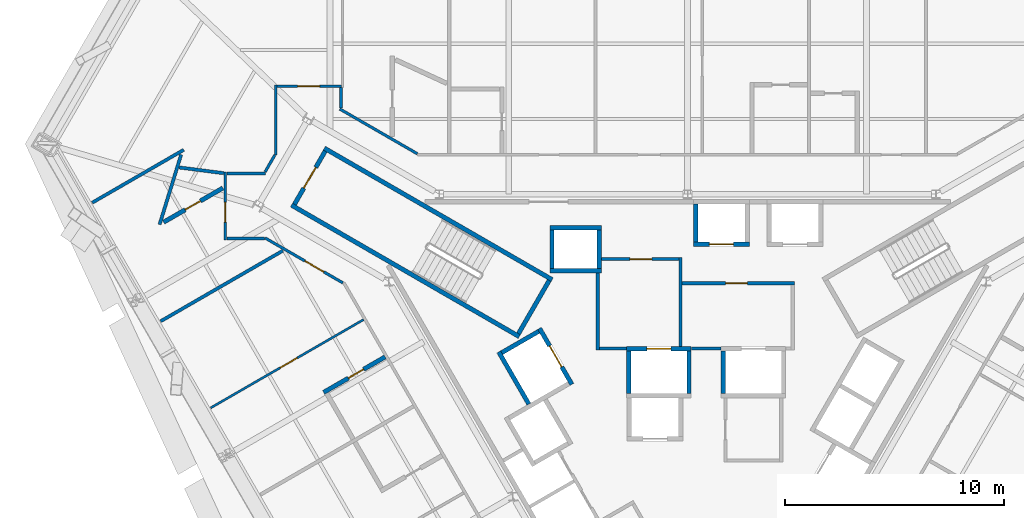
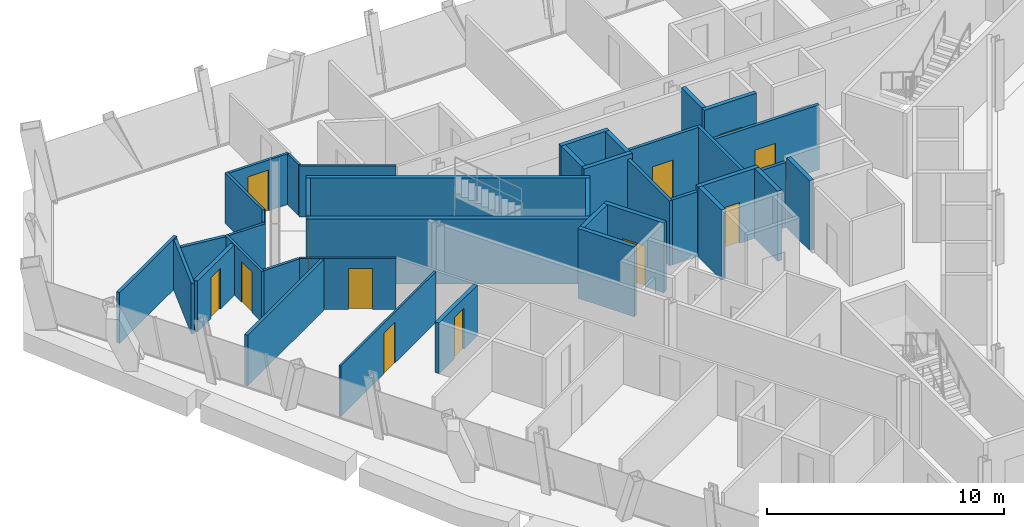
# One storey, part 10 of 14: 39 walls, 12 doors, 12 openings.
"""IFC4 building model written with IfcOpenShell, lengths in metres."""

from ifc_helpers import new_model, si_unit, direction, frame, frame_2d, origin, place, context, subcontext, project, spatial, rectangle, extrude, material, layer, layer_set, type_object, element, fill, save


model = new_model("IFC4")

# Units and contexts
model_context = context("Model", 3, precision=1e-05, world=origin(), true_north=direction((0.0, 1.0)))
body_context = subcontext(model_context, "Body", "Model", "MODEL_VIEW")
ifc_project = project(units=[si_unit("LENGTHUNIT", "METRE"), si_unit("AREAUNIT", "SQUARE_METRE"), si_unit("VOLUMEUNIT", "CUBIC_METRE"), si_unit("PLANEANGLEUNIT", "RADIAN"), si_unit("MASSUNIT", "GRAM", prefix="KILO")], contexts=[model_context])

# Site, building, storey
site_placement = place(None, origin())
site = spatial("IfcSite", under=ifc_project, at=site_placement, CompositionType="ELEMENT")
building_placement = place(site_placement, origin())
building = spatial("IfcBuilding", under=site, at=building_placement, Name="Verrane Prism Tower", CompositionType="ELEMENT")
storey_placement = place(building_placement, frame((0.0, 0.0, 128.800048828125)))
storey = spatial("IfcBuildingStorey", under=building, at=storey_placement, Name="L31", CompositionType="ELEMENT", Elevation=128.800048828125)

# Wall, opening, door
ifc_material_1 = material(Name="Concrete C40/50", Category="concrete")
ifc_layer_1 = layer(ifc_material_1, 0.199951171875)
ifc_layer_set_1 = layer_set([ifc_layer_1], Name="CW-200 stair core wall concrete C40/50 3 h")
wall_type_1 = type_object("IfcWallType", Name="CW-200 stair core wall concrete C40/50 3 h", PredefinedType="PARTITIONING", material=ifc_layer_set_1)
wall_1_placement = place(storey_placement, frame((-16.533935546875, 11.162353515625, 0.0), z_axis=(0.0, 0.0, 1.0), x_axis=(-0.49998411664, -0.866034573852, 0.0)))
wall_1 = element("IfcWall", 1, at=wall_1_placement, inside=storey, type_object=wall_type_1, Name="Stair 2 enclosure wall", PredefinedType="PARTITIONING", context=body_context, shape_type="SweptSolid", body=[
    extrude(rectangle(XDim=2.7998046875, YDim=0.199951171875, at=frame_2d((1.39990234375, 0.0))), origin(), (0.0, 0.0, 1.0), 3.349853515625),
])
opening_1_placement = place(wall_1_placement, frame((0.849853515625, 0.0, 0.0)))
opening_1 = element("IfcOpeningElement", 2, at=opening_1_placement, cuts=wall_1, Name="Opening D29501", PredefinedType="OPENING", context=body_context, shape_type="SweptSolid", body=[
    extrude(rectangle(XDim=1.10009765625, YDim=2.10009765625, at=frame_2d((0.550048828125, 1.050048828125))), frame((0.0, 0.10986328125, 0.0), z_axis=(0.0, -1.0, 0.0), x_axis=(1.0, 0.0, 0.0)), (0.0, 0.0, 1.0), 0.219970703125),
])
ifc_material_2 = material(Name="Timber veneered door leaf", Category="wood")
door_type_1 = type_object("IfcDoorType", Name="DR-1100x2100 FD90 single leaf stair", OperationType="NOTDEFINED", PredefinedType="DOOR", material=ifc_material_2)
door_1_placement = place(opening_1_placement, origin())
door_1 = element("IfcDoor", 3, at=door_1_placement, inside=storey, type_object=door_type_1, Name="Stair 2 door", OperationType="SINGLE_SWING_RIGHT", OverallHeight=2.10009765625, OverallWidth=1.10009765625, PredefinedType="DOOR", context=body_context, shape_type="SweptSolid", body=[
    extrude(rectangle(XDim=1.10009765625, YDim=2.10009765625, at=frame_2d((0.550048828125, 1.050048828125))), frame((0.0, 0.02490234375, 0.0), z_axis=(0.0, -1.0, 0.0), x_axis=(1.0, 0.0, 0.0)), (0.0, 0.0, 1.0), 0.050048828125),
])
fill(opening_1, door_1)

# Walls
for number, where, z_axis, x_axis, name in (
    (4, (-7.67822265625, 2.700927734375, 0.0), (0.0, 0.0, 1.0), (-0.866026010844, 0.49999894854, 0.0), "Stair 2 enclosure wall"),
    (5, (-6.17822265625, 5.299072265625, 0.0), (0.0, 0.0, 1.0), (-0.866026010844, 0.49999894854, 0.0), "Stair 2 enclosure wall"),
):
    element("IfcWall", number, at=place(storey_placement, frame(where, z_axis=z_axis, x_axis=x_axis)), inside=storey, type_object=wall_type_1, Name=name, PredefinedType="PARTITIONING", context=body_context, shape_type="SweptSolid", body=[
        extrude(rectangle(XDim=12.0, YDim=0.199951171875, at=frame_2d((6.0, 0.0))), origin(), (0.0, 0.0, 1.0), 3.349853515625),
    ])
wall_2_placement = place(storey_placement, frame((-6.314697265625, 5.262451171875, 0.0), z_axis=(0.0, 0.0, 1.0), x_axis=(-0.500049511043, -0.865996816683, 0.0)))
element("IfcWall", 6, at=wall_2_placement, inside=storey, type_object=wall_type_1, Name="Stair 2 enclosure wall", PredefinedType="PARTITIONING", context=body_context, shape_type="SweptSolid", body=[
    extrude(rectangle(XDim=2.800048828125, YDim=0.199951171875, at=frame_2d((1.39990234375, 0.0))), origin(), (0.0, 0.0, 1.0), 3.349853515625),
])

# Wall, opening, door
ifc_material_3 = material(Name="Gypsum board shaft wall assembly", Category="other")
ifc_layer_2 = layer(ifc_material_3, 0.199951171875)
ifc_layer_set_2 = layer_set([ifc_layer_2], Name="HW-200 lift shaft wall 2 h")
wall_type_2 = type_object("IfcWallType", Name="HW-200 lift shaft wall 2 h", PredefinedType="PARTITIONING", material=ifc_layer_set_2)
wall_3_placement = place(storey_placement, frame((-2.784912109375, 2.14990234375, 0.0), z_axis=(0.0, 0.0, 1.0), x_axis=(1.0, 0.0, 0.0)))
wall_3 = element("IfcWall", 7, at=wall_3_placement, inside=storey, type_object=wall_type_2, Name="Lift shaft wall", PredefinedType="PARTITIONING", context=body_context, shape_type="SweptSolid", body=[
    extrude(rectangle(XDim=2.949951171875, YDim=0.199951171875, at=frame_2d((1.47509765625, 0.0))), origin(), (0.0, 0.0, 1.0), 3.599853515625),
])
opening_2_placement = place(wall_3_placement, frame((0.925048828125, 0.0, 0.0)))
opening_2 = element("IfcOpeningElement", 8, at=opening_2_placement, cuts=wall_3, Name="Opening D29508", PredefinedType="OPENING", context=body_context, shape_type="SweptSolid", body=[
    extrude(rectangle(XDim=1.10009765625, YDim=2.10009765625, at=frame_2d((0.550048828125, 1.050048828125))), frame((0.0, 0.10986328125, 0.0), z_axis=(0.0, -1.0, 0.0), x_axis=(1.0, 0.0, 0.0)), (0.0, 0.0, 1.0), 0.219970703125),
])
ifc_material_4 = material(Name="Stainless steel sliding landing door", Category="steel")
door_type_2 = type_object("IfcDoorType", Name="LD-1100x2100 lift landing door FD90 sliding", OperationType="NOTDEFINED", PredefinedType="DOOR", material=ifc_material_4)
door_2_placement = place(opening_2_placement, origin())
door_2 = element("IfcDoor", 9, at=door_2_placement, inside=storey, type_object=door_type_2, Name="Fire service lift 1 landing door", OperationType="SLIDING_TO_LEFT", OverallHeight=2.10009765625, OverallWidth=1.10009765625, PredefinedType="DOOR", context=body_context, shape_type="SweptSolid", body=[
    extrude(rectangle(XDim=1.10009765625, YDim=2.10009765625, at=frame_2d((0.550048828125, 1.050048828125))), frame((0.0, 0.02490234375, 0.0), z_axis=(0.0, -1.0, 0.0), x_axis=(1.0, 0.0, 0.0)), (0.0, 0.0, 1.0), 0.050048828125),
])
fill(opening_2, door_2)

# Wall
wall_4_placement = place(storey_placement, frame((-6.284912109375, 5.7099609375, 0.0), z_axis=(0.0, 0.0, 1.0), x_axis=(1.0, 0.0, 0.0)))
element("IfcWall", 10, at=wall_4_placement, inside=storey, type_object=wall_type_2, Name="Lift shaft wall", PredefinedType="PARTITIONING", context=body_context, shape_type="SweptSolid", body=[
    extrude(rectangle(XDim=2.349853515625, YDim=0.199951171875, at=frame_2d((1.1748046875, 0.0))), origin(), (0.0, 0.0, 1.0), 3.599853515625),
])

# Wall, opening, door
wall_5_placement = place(storey_placement, frame((0.264892578125, 6.909912109375, 0.0), z_axis=(0.0, 0.0, 1.0), x_axis=(1.0, 0.0, 0.0)))
wall_5 = element("IfcWall", 11, at=wall_5_placement, inside=storey, type_object=wall_type_2, Name="Lift shaft wall", PredefinedType="PARTITIONING", context=body_context, shape_type="SweptSolid", body=[
    extrude(rectangle(XDim=2.550048828125, YDim=0.199951171875, at=frame_2d((1.27490234375, 0.0))), origin(), (0.0, 0.0, 1.0), 3.599853515625),
])
opening_3_placement = place(wall_5_placement, frame((0.72509765625, 0.0, 0.0)))
opening_3 = element("IfcOpeningElement", 12, at=opening_3_placement, cuts=wall_5, Name="Opening D29503", PredefinedType="OPENING", context=body_context, shape_type="SweptSolid", body=[
    extrude(rectangle(XDim=1.10009765625, YDim=2.10009765625, at=frame_2d((0.550048828125, 1.050048828125))), frame((0.0, 0.10986328125, 0.0), z_axis=(0.0, -1.0, 0.0), x_axis=(1.0, 0.0, 0.0)), (0.0, 0.0, 1.0), 0.219970703125),
])
door_3_placement = place(opening_3_placement, origin())
door_3 = element("IfcDoor", 13, at=door_3_placement, inside=storey, type_object=door_type_2, Name="Bank A lift 1 landing door", OperationType="SLIDING_TO_LEFT", OverallHeight=2.10009765625, OverallWidth=1.10009765625, PredefinedType="DOOR", context=body_context, shape_type="SweptSolid", body=[
    extrude(rectangle(XDim=1.10009765625, YDim=2.10009765625, at=frame_2d((0.550048828125, 1.050048828125))), frame((0.0, 0.02490234375, 0.0), z_axis=(0.0, -1.0, 0.0), x_axis=(1.0, 0.0, 0.0)), (0.0, 0.0, 1.0), 0.050048828125),
])
fill(opening_3, door_3)

# Walls
wall_6_placement = place(storey_placement, frame((-6.284912109375, 7.659912109375, 0.0), z_axis=(0.0, 0.0, 1.0), x_axis=(1.0, 0.0, 0.0)))
element("IfcWall", 14, at=wall_6_placement, inside=storey, type_object=wall_type_2, Name="Lift shaft wall", PredefinedType="PARTITIONING", context=body_context, shape_type="SweptSolid", body=[
    extrude(rectangle(XDim=2.349853515625, YDim=0.199951171875, at=frame_2d((1.1748046875, 0.0))), origin(), (0.0, 0.0, 1.0), 3.599853515625),
])
for number, where, z_axis, x_axis, name in (
    (15, (-8.48046875, 1.968505859375, 0.0), (0.0, 0.0, 1.0), (0.866000020948, 0.500043961785, 0.0), "Lift shaft wall"),
    (16, (1.625, 0.10009765625, 0.0), (0.0, 0.0, 1.0), (0.0, 1.0, 0.0), "Lift shaft wall"),
):
    element("IfcWall", number, at=place(storey_placement, frame(where, z_axis=z_axis, x_axis=x_axis)), inside=storey, type_object=wall_type_2, Name=name, PredefinedType="PARTITIONING", context=body_context, shape_type="SweptSolid", body=[
        extrude(rectangle(XDim=1.949951171875, YDim=0.199951171875, at=frame_2d((0.97509765625, 0.0))), origin(), (0.0, 0.0, 1.0), 3.599853515625),
    ])
wall_7_placement = place(storey_placement, frame((0.364990234375, 7.010009765625, 0.0), z_axis=(0.0, 0.0, 1.0), x_axis=(0.0, 1.0, 0.0)))
element("IfcWall", 17, at=wall_7_placement, inside=storey, type_object=wall_type_2, Name="Lift shaft wall", PredefinedType="PARTITIONING", context=body_context, shape_type="SweptSolid", body=[
    extrude(rectangle(XDim=1.75, YDim=0.199951171875, at=frame_2d((0.875, 0.0))), origin(), (0.0, 0.0, 1.0), 3.599853515625),
])
for number, where, z_axis, x_axis, name in (
    (18, (0.06494140625, 0.10009765625, 0.0), (0.0, 0.0, 1.0), (0.0, 1.0, 0.0), "Lift shaft wall"),
    (19, (-2.68505859375, 0.10009765625, 0.0), (0.0, 0.0, 1.0), (0.0, 1.0, 0.0), "Lift shaft wall"),
):
    element("IfcWall", number, at=place(storey_placement, frame(where, z_axis=z_axis, x_axis=x_axis)), inside=storey, type_object=wall_type_2, Name=name, PredefinedType="PARTITIONING", context=body_context, shape_type="SweptSolid", body=[
        extrude(rectangle(XDim=1.949951171875, YDim=0.199951171875, at=frame_2d((0.97509765625, 0.0))), origin(), (0.0, 0.0, 1.0), 3.599853515625),
    ])
for number, where, z_axis, x_axis, name in (
    (20, (-4.034912109375, 5.81005859375, 0.0), (0.0, 0.0, 1.0), (0.0, 1.0, 0.0), "Lift shaft wall"),
    (21, (-6.18505859375, 5.81005859375, 0.0), (0.0, 0.0, 1.0), (0.0, 1.0, 0.0), "Lift shaft wall"),
):
    element("IfcWall", number, at=place(storey_placement, frame(where, z_axis=z_axis, x_axis=x_axis)), inside=storey, type_object=wall_type_2, Name=name, PredefinedType="PARTITIONING", context=body_context, shape_type="SweptSolid", body=[
        extrude(rectangle(XDim=1.75, YDim=0.199951171875, at=frame_2d((0.875, 0.0))), origin(), (0.0, 0.0, 1.0), 3.599853515625),
    ])

# Wall, opening, door
wall_8_placement = place(storey_placement, frame((-5.280029296875, 0.525390625, 0.0), z_axis=(0.0, 0.0, 1.0), x_axis=(-0.500037662692, 0.866003658127, 0.0)))
wall_8 = element("IfcWall", 22, at=wall_8_placement, inside=storey, type_object=wall_type_2, Name="Lift shaft wall", PredefinedType="PARTITIONING", context=body_context, shape_type="SweptSolid", body=[
    extrude(rectangle(XDim=2.949951171875, YDim=0.199951171875, at=frame_2d((1.47509765625, 0.0))), origin(), (0.0, 0.0, 1.0), 3.599853515625),
])
opening_4_placement = place(wall_8_placement, frame((0.925048828125, 0.0, 0.0)))
opening_4 = element("IfcOpeningElement", 23, at=opening_4_placement, cuts=wall_8, Name="Opening D29510", PredefinedType="OPENING", context=body_context, shape_type="SweptSolid", body=[
    extrude(rectangle(XDim=1.10009765625, YDim=2.10009765625, at=frame_2d((0.550048828125, 1.050048828125))), frame((0.0, 0.10986328125, 0.0), z_axis=(0.0, -1.0, 0.0), x_axis=(1.0, 0.0, 0.0)), (0.0, 0.0, 1.0), 0.219970703125),
])
door_4_placement = place(opening_4_placement, origin())
door_4 = element("IfcDoor", 24, at=door_4_placement, inside=storey, type_object=door_type_2, Name="Service lift 1 landing door", OperationType="SLIDING_TO_LEFT", OverallHeight=2.10009765625, OverallWidth=1.10009765625, PredefinedType="DOOR", context=body_context, shape_type="SweptSolid", body=[
    extrude(rectangle(XDim=1.10009765625, YDim=2.10009765625, at=frame_2d((0.550048828125, 1.050048828125))), frame((0.0, 0.02490234375, 0.0), z_axis=(0.0, -1.0, 0.0), x_axis=(1.0, 0.0, 0.0)), (0.0, 0.0, 1.0), 0.050048828125),
])
fill(opening_4, door_4)

# Walls
wall_9_placement = place(storey_placement, frame((-7.241943359375, -0.37646484375, 0.0), z_axis=(0.0, 0.0, 1.0), x_axis=(-0.499996545922, 0.866027397988, 0.0)))
element("IfcWall", 25, at=wall_9_placement, inside=storey, type_object=wall_type_2, Name="Lift shaft wall", PredefinedType="PARTITIONING", context=body_context, shape_type="SweptSolid", body=[
    extrude(rectangle(XDim=2.75, YDim=0.199951171875, at=frame_2d((1.375, 0.0))), origin(), (0.0, 0.0, 1.0), 3.599853515625),
])
ifc_material_5 = material(Name="Gypsum board partition", Category="other")
ifc_layer_3 = layer(ifc_material_5, 0.14990234375)
ifc_layer_set_3 = layer_set([ifc_layer_3], Name="LF-150 firefighting lobby wall 1 h")
wall_type_3 = type_object("IfcWallType", Name="LF-150 firefighting lobby wall 1 h", PredefinedType="PARTITIONING", material=ifc_layer_set_3)
wall_10_placement = place(storey_placement, frame((-4.10009765625, 2.0849609375, 0.0), z_axis=(0.0, 0.0, 1.0), x_axis=(0.0, 1.0, 0.0)))
element("IfcWall", 26, at=wall_10_placement, inside=storey, type_object=wall_type_3, Name="Firefighting lobby wall LF1-001", PredefinedType="PARTITIONING", context=body_context, shape_type="SweptSolid", body=[
    extrude(rectangle(XDim=3.52294921875, YDim=0.14990234375, at=frame_2d((1.761474609375, 0.0))), origin(), (0.0, 0.0, 1.0), 3.349853515625),
])
wall_11_placement = place(storey_placement, frame((-4.02490234375, 2.159912109375, 0.0), z_axis=(0.0, 0.0, 1.0), x_axis=(1.0, 0.0, 0.0)))
element("IfcWall", 27, at=wall_11_placement, inside=storey, type_object=wall_type_3, Name="Firefighting lobby wall LF1-002", PredefinedType="PARTITIONING", context=body_context, shape_type="SweptSolid", body=[
    extrude(rectangle(XDim=1.23779296875, YDim=0.14990234375, at=frame_2d((0.618896484375, 0.0))), origin(), (0.0, 0.0, 1.0), 3.349853515625),
])

# Wall, opening, door
wall_12_placement = place(storey_placement, frame((-3.93310546875, 6.239990234375, 0.0), z_axis=(0.0, 0.0, 1.0), x_axis=(1.0, 0.0, 0.0)))
wall_12 = element("IfcWall", 28, at=wall_12_placement, inside=storey, type_object=wall_type_3, Name="Firefighting lobby wall LF1-003", PredefinedType="PARTITIONING", context=body_context, shape_type="SweptSolid", body=[
    extrude(rectangle(XDim=3.5380859375, YDim=0.14990234375, at=frame_2d((1.76904296875, 0.0))), origin(), (0.0, 0.0, 1.0), 3.349853515625),
])
opening_5_placement = place(wall_12_placement, frame((1.300048828125, 0.0, 0.0)))
opening_5 = element("IfcOpeningElement", 29, at=opening_5_placement, cuts=wall_12, Name="Opening D29515", PredefinedType="OPENING", context=body_context, shape_type="SweptSolid", body=[
    extrude(rectangle(XDim=1.0, YDim=2.10009765625, at=frame_2d((0.5, 1.050048828125))), frame((0.0, 0.0849609375, 0.0), z_axis=(0.0, -1.0, 0.0), x_axis=(1.0, 0.0, 0.0)), (0.0, 0.0, 1.0), 0.169921875),
])
ifc_material_6 = material(Name="Timber veneered door leaf", Category="wood")
door_type_3 = type_object("IfcDoorType", Name="DR-1000x2100 FD60 single leaf firefighting lobby", OperationType="NOTDEFINED", PredefinedType="DOOR", material=ifc_material_6)
door_5_placement = place(opening_5_placement, origin())
door_5 = element("IfcDoor", 30, at=door_5_placement, inside=storey, type_object=door_type_3, Name="Firefighting lobby door D29515", OperationType="SINGLE_SWING_LEFT", OverallHeight=2.10009765625, OverallWidth=1.0, PredefinedType="DOOR", context=body_context, shape_type="SweptSolid", body=[
    extrude(rectangle(XDim=1.0, YDim=2.10009765625, at=frame_2d((0.5, 1.050048828125))), frame((0.0, 0.02490234375, 0.0), z_axis=(0.0, -1.0, 0.0), x_axis=(1.0, 0.0, 0.0)), (0.0, 0.0, 1.0), 0.050048828125),
])
fill(opening_5, door_5)

# Wall
wall_13_placement = place(storey_placement, frame((-0.320068359375, 2.251953125, 0.0), z_axis=(0.0, 0.0, 1.0), x_axis=(0.0, 1.0, 0.0)))
element("IfcWall", 31, at=wall_13_placement, inside=storey, type_object=wall_type_3, Name="Firefighting lobby wall LF1-004", PredefinedType="PARTITIONING", context=body_context, shape_type="SweptSolid", body=[
    extrude(rectangle(XDim=4.06298828125, YDim=0.14990234375, at=frame_2d((2.031494140625, 0.0))), origin(), (0.0, 0.0, 1.0), 3.349853515625),
])

# Wall, opening, door
wall_14_placement = place(storey_placement, frame((-0.2451171875, 5.139892578125, 0.0), z_axis=(0.0, 0.0, 1.0), x_axis=(1.0, 0.0, 0.0)))
wall_14 = element("IfcWall", 32, at=wall_14_placement, inside=storey, type_object=wall_type_3, Name="Firefighting lobby wall LF1-005", PredefinedType="PARTITIONING", context=body_context, shape_type="SweptSolid", body=[
    extrude(rectangle(XDim=5.110107421875, YDim=0.14990234375, at=frame_2d((2.55517578125, 0.0))), origin(), (0.0, 0.0, 1.0), 3.349853515625),
])
opening_6_placement = place(wall_14_placement, frame((1.97509765625, 0.0, 0.0)))
opening_6 = element("IfcOpeningElement", 33, at=opening_6_placement, cuts=wall_14, Name="Opening D29516", PredefinedType="OPENING", context=body_context, shape_type="SweptSolid", body=[
    extrude(rectangle(XDim=1.0, YDim=2.10009765625, at=frame_2d((0.5, 1.050048828125))), frame((0.0, 0.0849609375, 0.0), z_axis=(0.0, -1.0, 0.0), x_axis=(1.0, 0.0, 0.0)), (0.0, 0.0, 1.0), 0.169921875),
])
door_6_placement = place(opening_6_placement, origin())
door_6 = element("IfcDoor", 34, at=door_6_placement, inside=storey, type_object=door_type_3, Name="Firefighting lobby door D29516", OperationType="SINGLE_SWING_RIGHT", OverallHeight=2.10009765625, OverallWidth=1.0, PredefinedType="DOOR", context=body_context, shape_type="SweptSolid", body=[
    extrude(rectangle(XDim=1.0, YDim=2.10009765625, at=frame_2d((0.5, 1.050048828125))), frame((0.0, 0.02490234375, 0.0), z_axis=(0.0, -1.0, 0.0), x_axis=(1.0, 0.0, 0.0)), (0.0, 0.0, 1.0), 0.050048828125),
])
fill(opening_6, door_6)

# Wall
wall_15_placement = place(storey_placement, frame((0.1669921875, 2.159912109375, 0.0), z_axis=(0.0, 0.0, 1.0), x_axis=(1.0, 0.0, 0.0)))
element("IfcWall", 35, at=wall_15_placement, inside=storey, type_object=wall_type_3, Name="Firefighting lobby wall LF1-006", PredefinedType="PARTITIONING", context=body_context, shape_type="SweptSolid", body=[
    extrude(rectangle(XDim=1.35595703125, YDim=0.14990234375, at=frame_2d((0.677978515625, 0.0))), origin(), (0.0, 0.0, 1.0), 3.349853515625),
])

# Wall, opening, door
ifc_material_7 = material(Name="Gypsum board partition", Category="other")
ifc_layer_4 = layer(ifc_material_7, 0.10009765625)
ifc_layer_set_4 = layer_set([ifc_layer_4], Name="PW-100 room partition")
wall_type_4 = type_object("IfcWallType", Name="PW-100 room partition", PredefinedType="PARTITIONING", material=ifc_layer_set_4)
wall_16_placement = place(storey_placement, frame((-14.7822265625, 3.477783203125, 0.0), z_axis=(0.0, 0.0, 1.0), x_axis=(-0.866049767202, -0.499957798949, 0.0)))
wall_16 = element("IfcWall", 36, at=wall_16_placement, inside=storey, type_object=wall_type_4, Name="Room partition 006", PredefinedType="PARTITIONING", context=body_context, shape_type="SweptSolid", body=[
    extrude(rectangle(XDim=8.052001953125, YDim=0.10009765625, at=frame_2d((4.02587890625, 0.0))), origin(), (0.0, 0.0, 1.0), 2.613037109375),
])
opening_7_placement = place(wall_16_placement, frame((3.498291015625, 0.0, 0.0)))
opening_7 = element("IfcOpeningElement", 37, at=opening_7_placement, cuts=wall_16, Name="Opening D29017", PredefinedType="OPENING", context=body_context, shape_type="SweptSolid", body=[
    extrude(rectangle(XDim=0.89990234375, YDim=2.10009765625, at=frame_2d((0.449951171875, 1.050048828125))), frame((0.0, 0.06005859375, 0.0), z_axis=(0.0, -1.0, 0.0), x_axis=(1.0, 0.0, 0.0)), (0.0, 0.0, 1.0), 0.1201171875),
])
ifc_material_8 = material(Name="Timber veneered door leaf", Category="wood")
door_type_4 = type_object("IfcDoorType", Name="DR-900x2100 single leaf inner", OperationType="NOTDEFINED", PredefinedType="DOOR", material=ifc_material_8)
door_7_placement = place(opening_7_placement, origin())
door_7 = element("IfcDoor", 38, at=door_7_placement, inside=storey, type_object=door_type_4, Name="Suite Living Room door", OperationType="SINGLE_SWING_RIGHT", OverallHeight=2.10009765625, OverallWidth=0.89990234375, PredefinedType="DOOR", context=body_context, shape_type="SweptSolid", body=[
    extrude(rectangle(XDim=0.89990234375, YDim=2.10009765625, at=frame_2d((0.449951171875, 1.050048828125))), frame((0.0, 0.02490234375, 0.0), z_axis=(0.0, -1.0, 0.0), x_axis=(1.0, 0.0, 0.0)), (0.0, 0.0, 1.0), 0.050048828125),
])
fill(opening_7, door_7)

ifc_material_9 = material(Name="Gypsum board partition", Category="other")
ifc_layer_5 = layer(ifc_material_9, 0.125)
ifc_layer_set_5 = layer_set([ifc_layer_5], Name="PW-125 corridor wall 1 h")
wall_type_5 = type_object("IfcWallType", Name="PW-125 corridor wall 1 h", PredefinedType="PARTITIONING", material=ifc_layer_set_5)
wall_17_placement = place(storey_placement, frame((-21.0869140625, 7.110595703125, 0.0), z_axis=(0.0, 0.0, 1.0), x_axis=(0.0, 1.0, 0.0)))
wall_17 = element("IfcWall", 39, at=wall_17_placement, inside=storey, type_object=wall_type_5, Name="Corridor wall 007", PredefinedType="PARTITIONING", context=body_context, shape_type="SweptSolid", body=[
    extrude(rectangle(XDim=3.098876953125, YDim=0.125, at=frame_2d((1.54931640625, 0.0))), origin(), (0.0, 0.0, 1.0), 2.613037109375),
])
opening_8_placement = place(wall_17_placement, frame((0.8125, 0.0, 0.0)))
opening_8 = element("IfcOpeningElement", 40, at=opening_8_placement, cuts=wall_17, Name="Opening D29014", PredefinedType="OPENING", context=body_context, shape_type="SweptSolid", body=[
    extrude(rectangle(XDim=0.89990234375, YDim=2.10009765625, at=frame_2d((0.449951171875, 1.050048828125))), frame((0.0, 0.072509765625, 0.0), z_axis=(0.0, -1.0, 0.0), x_axis=(1.0, 0.0, 0.0)), (0.0, 0.0, 1.0), 0.14501953125),
])
ifc_material_10 = material(Name="Timber veneered door leaf", Category="wood")
door_type_5 = type_object("IfcDoorType", Name="DR-900x2100 FD20 single leaf unit", OperationType="NOTDEFINED", PredefinedType="DOOR", material=ifc_material_10)
door_8_placement = place(opening_8_placement, origin())
door_8 = element("IfcDoor", 41, at=door_8_placement, inside=storey, type_object=door_type_5, Name="Junior Suite door", OperationType="SINGLE_SWING_RIGHT", OverallHeight=2.10009765625, OverallWidth=0.89990234375, PredefinedType="DOOR", context=body_context, shape_type="SweptSolid", body=[
    extrude(rectangle(XDim=0.89990234375, YDim=2.10009765625, at=frame_2d((0.449951171875, 1.050048828125))), frame((0.0, 0.02490234375, 0.0), z_axis=(0.0, -1.0, 0.0), x_axis=(1.0, 0.0, 0.0)), (0.0, 0.0, 1.0), 0.050048828125),
])
fill(opening_8, door_8)

# Walls
wall_18_placement = place(storey_placement, frame((-21.02197265625, 7.173095703125, 0.0), z_axis=(0.0, 0.0, 1.0), x_axis=(1.0, 0.0, 0.0)))
element("IfcWall", 42, at=wall_18_placement, inside=storey, type_object=wall_type_5, Name="Corridor wall 008", PredefinedType="PARTITIONING", context=body_context, shape_type="SweptSolid", body=[
    extrude(rectangle(XDim=1.712890625, YDim=0.125, at=frame_2d((0.8564453125, 0.0))), origin(), (0.0, 0.0, 1.0), 2.613037109375),
])
wall_19_placement = place(storey_placement, frame((-21.02197265625, 10.14697265625, 0.0), z_axis=(0.0, 0.0, 1.0), x_axis=(1.0, 0.0, 0.0)))
element("IfcWall", 43, at=wall_19_placement, inside=storey, type_object=wall_type_5, Name="Corridor wall 009", PredefinedType="PARTITIONING", context=body_context, shape_type="SweptSolid", body=[
    extrude(rectangle(XDim=1.7705078125, YDim=0.125, at=frame_2d((0.88525390625, 0.0))), origin(), (0.0, 0.0, 1.0), 2.613037109375),
])
wall_20_placement = place(storey_placement, frame((-19.271484375, 10.220703125, 0.0), z_axis=(0.0, 0.0, 1.0), x_axis=(0.499881837328, 0.866093614288, 0.0)))
element("IfcWall", 44, at=wall_20_placement, inside=storey, type_object=wall_type_5, Name="Corridor wall 011", PredefinedType="PARTITIONING", context=body_context, shape_type="SweptSolid", body=[
    extrude(rectangle(XDim=0.884033203125, YDim=0.125, at=frame_2d((0.44189453125, 0.0))), origin(), (0.0, 0.0, 1.0), 2.613037109375),
])

# Wall, opening, door
wall_21_placement = place(storey_placement, frame((-15.7265625, 5.153564453125, 0.0), z_axis=(0.0, 0.0, 1.0), x_axis=(-0.865992261418, 0.50005739987, 0.0)))
wall_21 = element("IfcWall", 45, at=wall_21_placement, inside=storey, type_object=wall_type_5, Name="Corridor wall 012", PredefinedType="PARTITIONING", context=body_context, shape_type="SweptSolid", body=[
    extrude(rectangle(XDim=4.10107421875, YDim=0.125, at=frame_2d((2.050537109375, 0.0))), origin(), (0.0, 0.0, 1.0), 2.613037109375),
])
opening_9_placement = place(wall_21_placement, frame((0.99755859375, 0.0, 0.0)))
opening_9 = element("IfcOpeningElement", 46, at=opening_9_placement, cuts=wall_21, Name="Opening D29016", PredefinedType="OPENING", context=body_context, shape_type="SweptSolid", body=[
    extrude(rectangle(XDim=1.0, YDim=2.10009765625, at=frame_2d((0.5, 1.050048828125))), frame((0.0, 0.072509765625, 0.0), z_axis=(0.0, -1.0, 0.0), x_axis=(1.0, 0.0, 0.0)), (0.0, 0.0, 1.0), 0.14501953125),
])
ifc_material_11 = material(Name="Timber veneered door leaf", Category="wood")
door_type_6 = type_object("IfcDoorType", Name="DR-1000x2100 FD20 single leaf unit", OperationType="NOTDEFINED", PredefinedType="DOOR", material=ifc_material_11)
door_9_placement = place(opening_9_placement, origin())
door_9 = element("IfcDoor", 47, at=door_9_placement, inside=storey, type_object=door_type_6, Name="Suite Living Room door", OperationType="SINGLE_SWING_LEFT", OverallHeight=2.10009765625, OverallWidth=1.0, PredefinedType="DOOR", context=body_context, shape_type="SweptSolid", body=[
    extrude(rectangle(XDim=1.0, YDim=2.10009765625, at=frame_2d((0.5, 1.050048828125))), frame((0.0, 0.02490234375, 0.0), z_axis=(0.0, -1.0, 0.0), x_axis=(1.0, 0.0, 0.0)), (0.0, 0.0, 1.0), 0.050048828125),
])
fill(opening_9, door_9)

# Wall
wall_22_placement = place(storey_placement, frame((-18.787109375, 10.99755859375, 0.0), z_axis=(0.0, 0.0, 1.0), x_axis=(0.0, 1.0, 0.0)))
element("IfcWall", 48, at=wall_22_placement, inside=storey, type_object=wall_type_5, Name="Corridor wall 013", PredefinedType="PARTITIONING", context=body_context, shape_type="SweptSolid", body=[
    extrude(rectangle(XDim=3.19189453125, YDim=0.125, at=frame_2d((1.595947265625, 0.0))), origin(), (0.0, 0.0, 1.0), 2.613037109375),
])

# Wall, opening, door
wall_23_placement = place(storey_placement, frame((-18.721923828125, 14.126953125, 0.0), z_axis=(0.0, 0.0, 1.0), x_axis=(1.0, 0.0, 0.0)))
wall_23 = element("IfcWall", 49, at=wall_23_placement, inside=storey, type_object=wall_type_5, Name="Corridor wall 014", PredefinedType="PARTITIONING", context=body_context, shape_type="SweptSolid", body=[
    extrude(rectangle(XDim=2.926513671875, YDim=0.125, at=frame_2d((1.46337890625, 0.0))), origin(), (0.0, 0.0, 1.0), 2.613037109375),
])
opening_10_placement = place(wall_23_placement, frame((0.93505859375, 0.0, 0.0)))
opening_10 = element("IfcOpeningElement", 50, at=opening_10_placement, cuts=wall_23, Name="Opening D29011", PredefinedType="OPENING", context=body_context, shape_type="SweptSolid", body=[
    extrude(rectangle(XDim=1.0, YDim=2.10009765625, at=frame_2d((0.5, 1.050048828125))), frame((0.0, 0.072509765625, 0.0), z_axis=(0.0, -1.0, 0.0), x_axis=(1.0, 0.0, 0.0)), (0.0, 0.0, 1.0), 0.14501953125),
])
door_10_placement = place(opening_10_placement, origin())
door_10 = element("IfcDoor", 51, at=door_10_placement, inside=storey, type_object=door_type_6, Name="Suite Living Room door", OperationType="SINGLE_SWING_LEFT", OverallHeight=2.10009765625, OverallWidth=1.0, PredefinedType="DOOR", context=body_context, shape_type="SweptSolid", body=[
    extrude(rectangle(XDim=1.0, YDim=2.10009765625, at=frame_2d((0.5, 1.050048828125))), frame((0.0, 0.02490234375, 0.0), z_axis=(0.0, -1.0, 0.0), x_axis=(1.0, 0.0, 0.0)), (0.0, 0.0, 1.0), 0.050048828125),
])
fill(opening_10, door_10)

# Walls
wall_24_placement = place(storey_placement, frame((-15.81298828125, 13.139892578125, 0.0), z_axis=(0.0, 0.0, 1.0), x_axis=(0.0, 1.0, 0.0)))
element("IfcWall", 52, at=wall_24_placement, inside=storey, type_object=wall_type_5, Name="Corridor wall 018", PredefinedType="PARTITIONING", context=body_context, shape_type="SweptSolid", body=[
    extrude(rectangle(XDim=0.922119140625, YDim=0.125, at=frame_2d((0.4609375, 0.0))), origin(), (0.0, 0.0, 1.0), 2.613037109375),
])
wall_25_placement = place(storey_placement, frame((-15.8671875, 13.086181640625, 0.0), z_axis=(0.0, 0.0, 1.0), x_axis=(0.866070231021, -0.499922348909, 0.0)))
element("IfcWall", 53, at=wall_25_placement, inside=storey, type_object=wall_type_5, Name="Corridor wall 019", PredefinedType="PARTITIONING", context=body_context, shape_type="SweptSolid", body=[
    extrude(rectangle(XDim=4.088134765625, YDim=0.125, at=frame_2d((2.0439453125, 0.0))), origin(), (0.0, 0.0, 1.0), 2.613037109375),
])
ifc_material_12 = material(Name="Gypsum board partition", Category="other")
ifc_layer_6 = layer(ifc_material_12, 0.14990234375)
ifc_layer_set_6 = layer_set([ifc_layer_6], Name="PW-150 demising wall 1 h")
wall_type_6 = type_object("IfcWallType", Name="PW-150 demising wall 1 h", PredefinedType="PARTITIONING", material=ifc_layer_set_6)
wall_26_placement = place(storey_placement, frame((-27.15966796875, 8.81201171875, 0.0), z_axis=(0.0, 0.0, 1.0), x_axis=(0.866019508262, 0.500010211206, 0.0)))
element("IfcWall", 54, at=wall_26_placement, inside=storey, type_object=wall_type_6, Name="Demising wall 001", PredefinedType="PARTITIONING", context=body_context, shape_type="SweptSolid", body=[
    extrude(rectangle(XDim=4.82275390625, YDim=0.14990234375, at=frame_2d((2.411376953125, 0.0))), origin(), (0.0, 0.0, 1.0), 2.613037109375),
])
wall_27_placement = place(storey_placement, frame((-24.0869140625, 7.81494140625, 0.0), z_axis=(0.0, 0.0, 1.0), x_axis=(0.294507330173, 0.955649220412, 0.0)))
element("IfcWall", 55, at=wall_27_placement, inside=storey, type_object=wall_type_6, Name="Demising wall 002", PredefinedType="PARTITIONING", context=body_context, shape_type="SweptSolid", body=[
    extrude(rectangle(XDim=3.33740234375, YDim=0.14990234375, at=frame_2d((1.668701171875, 0.0))), origin(), (0.0, 0.0, 1.0), 2.613037109375),
])
wall_28_placement = place(storey_placement, frame((-24.037109375, 3.40380859375, 0.0), z_axis=(0.0, 0.0, 1.0), x_axis=(0.866018103795, 0.50001264374, 0.0)))
element("IfcWall", 56, at=wall_28_placement, inside=storey, type_object=wall_type_6, Name="Demising wall 004", PredefinedType="PARTITIONING", context=body_context, shape_type="SweptSolid", body=[
    extrude(rectangle(XDim=6.432861328125, YDim=0.14990234375, at=frame_2d((3.21630859375, 0.0))), origin(), (0.0, 0.0, 1.0), 2.613037109375),
])
wall_29_placement = place(storey_placement, frame((-23.192626953125, 10.418701171875, 0.0), z_axis=(0.0, 0.0, 1.0), x_axis=(0.991775429183, -0.127990226455, 0.0)))
element("IfcWall", 57, at=wall_29_placement, inside=storey, type_object=wall_type_6, Name="Demising wall 005", PredefinedType="PARTITIONING", context=body_context, shape_type="SweptSolid", body=[
    extrude(rectangle(XDim=2.050537109375, YDim=0.14990234375, at=frame_2d((1.025390625, 0.0))), origin(), (0.0, 0.0, 1.0), 2.613037109375),
])

# Wall, opening, door
ifc_material_13 = material(Name="Gypsum board partition", Category="other")
ifc_layer_7 = layer(ifc_material_13, 0.199951171875)
ifc_layer_set_7 = layer_set([ifc_layer_7], Name="PW-200 plumbing wall")
wall_type_7 = type_object("IfcWallType", Name="PW-200 plumbing wall", PredefinedType="PARTITIONING", material=ifc_layer_set_7)
wall_30_placement = place(storey_placement, frame((-23.90087890625, 7.922607421875, 0.0), z_axis=(0.0, 0.0, 1.0), x_axis=(0.866072196304, 0.49991894422, 0.0)))
wall_30 = element("IfcWall", 58, at=wall_30_placement, inside=storey, type_object=wall_type_7, Name="Plumbing wall 003", PredefinedType="PARTITIONING", context=body_context, shape_type="SweptSolid", body=[
    extrude(rectangle(XDim=3.119140625, YDim=0.199951171875, at=frame_2d((1.5595703125, 0.0))), origin(), (0.0, 0.0, 1.0), 2.613037109375),
])
opening_11_placement = place(wall_30_placement, frame((1.135009765625, 0.0, 0.0)))
opening_11 = element("IfcOpeningElement", 59, at=opening_11_placement, cuts=wall_30, Name="Opening D29015", PredefinedType="OPENING", context=body_context, shape_type="SweptSolid", body=[
    extrude(rectangle(XDim=0.800048828125, YDim=2.10009765625, at=frame_2d((0.39990234375, 1.050048828125))), frame((0.0, 0.10986328125, 0.0), z_axis=(0.0, -1.0, 0.0), x_axis=(1.0, 0.0, 0.0)), (0.0, 0.0, 1.0), 0.219970703125),
])
ifc_material_14 = material(Name="Timber veneered door leaf", Category="wood")
door_type_7 = type_object("IfcDoorType", Name="DR-800x2100 single leaf bath", OperationType="NOTDEFINED", PredefinedType="DOOR", material=ifc_material_14)
door_11_placement = place(opening_11_placement, origin())
door_11 = element("IfcDoor", 60, at=door_11_placement, inside=storey, type_object=door_type_7, Name="En-Suite door", OperationType="SINGLE_SWING_LEFT", OverallHeight=2.10009765625, OverallWidth=0.800048828125, PredefinedType="DOOR", context=body_context, shape_type="SweptSolid", body=[
    extrude(rectangle(XDim=0.800048828125, YDim=2.10009765625, at=frame_2d((0.39990234375, 1.050048828125))), frame((0.0, 0.02490234375, 0.0), z_axis=(0.0, -1.0, 0.0), x_axis=(1.0, 0.0, 0.0)), (0.0, 0.0, 1.0), 0.050048828125),
])
fill(opening_11, door_11)

wall_31_placement = place(storey_placement, frame((-13.800048828125, 1.77685546875, 0.0), z_axis=(0.0, 0.0, 1.0), x_axis=(-0.865983377851, -0.500072783988, 0.0)))
wall_31 = element("IfcWall", 61, at=wall_31_placement, inside=storey, type_object=wall_type_7, Name="Plumbing wall 017", PredefinedType="PARTITIONING", context=body_context, shape_type="SweptSolid", body=[
    extrude(rectangle(XDim=3.2373046875, YDim=0.199951171875, at=frame_2d((1.61865234375, 0.0))), origin(), (0.0, 0.0, 1.0), 2.613037109375),
])
opening_12_placement = place(wall_31_placement, frame((1.13720703125, 0.0, 0.0)))
opening_12 = element("IfcOpeningElement", 62, at=opening_12_placement, cuts=wall_31, Name="Opening D29018", PredefinedType="OPENING", context=body_context, shape_type="SweptSolid", body=[
    extrude(rectangle(XDim=0.800048828125, YDim=2.10009765625, at=frame_2d((0.39990234375, 1.050048828125))), frame((0.0, 0.10986328125, 0.0), z_axis=(0.0, -1.0, 0.0), x_axis=(1.0, 0.0, 0.0)), (0.0, 0.0, 1.0), 0.219970703125),
])
door_12_placement = place(opening_12_placement, origin())
door_12 = element("IfcDoor", 63, at=door_12_placement, inside=storey, type_object=door_type_7, Name="En-Suite door", OperationType="SINGLE_SWING_LEFT", OverallHeight=2.10009765625, OverallWidth=0.800048828125, PredefinedType="DOOR", context=body_context, shape_type="SweptSolid", body=[
    extrude(rectangle(XDim=0.800048828125, YDim=2.10009765625, at=frame_2d((0.39990234375, 1.050048828125))), frame((0.0, 0.02490234375, 0.0), z_axis=(0.0, -1.0, 0.0), x_axis=(1.0, 0.0, 0.0)), (0.0, 0.0, 1.0), 0.050048828125),
])
fill(opening_12, door_12)

save(model, "model.ifc")
